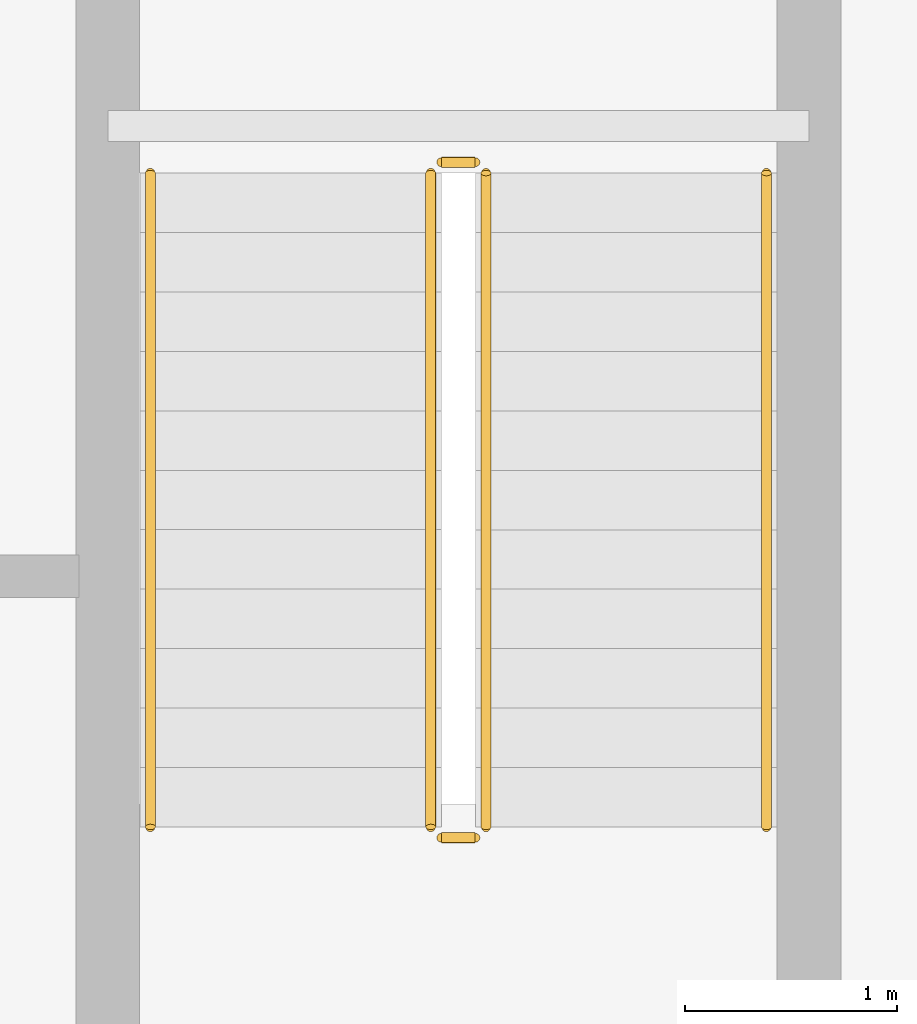
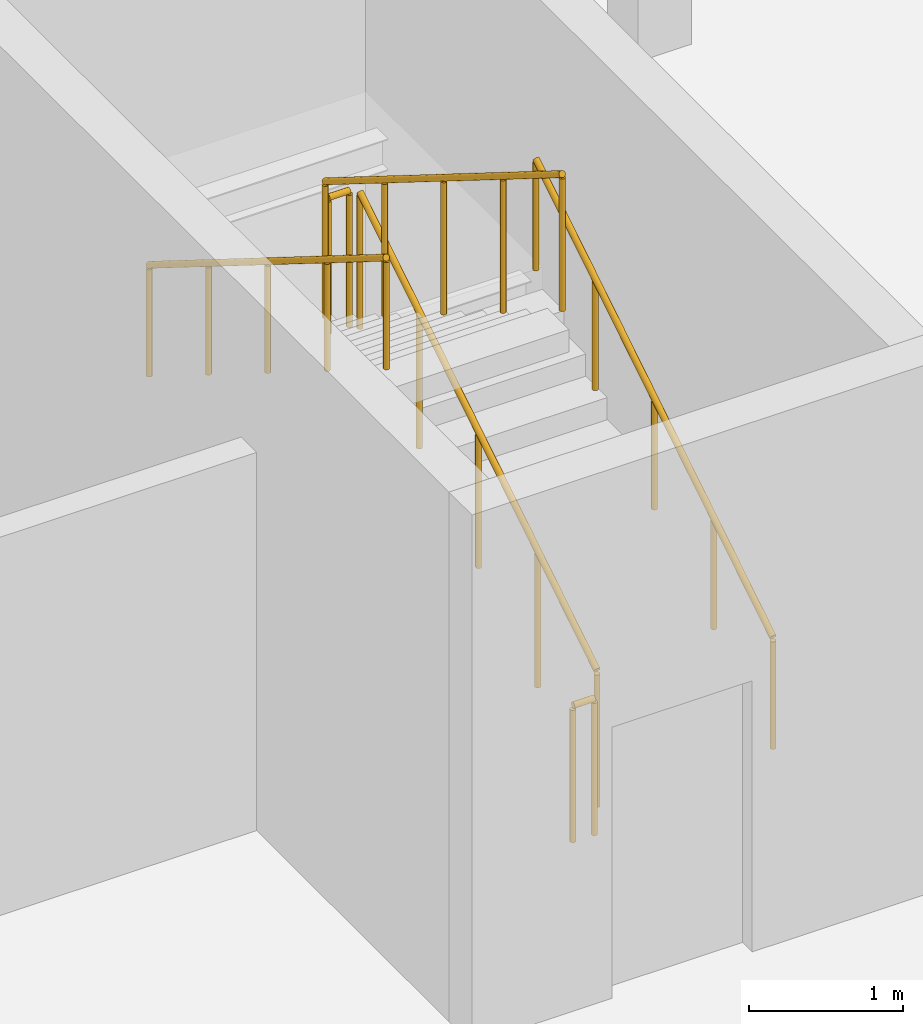
# One storey, part 10 of 10: 6 railings.
"""IFC4 building model written with IfcOpenShell, lengths in metres."""

import ifcopenshell
import ifcopenshell.guid

model = None  # the IFC model being written
_history = None  # IfcOwnerHistory: only IFC2X3 demands one
_inside = {}  # id of a spatial element -> (the spatial element, [elements in it])
_under = {}  # id of a project, library or spatial element -> (it, [spatial elements below it])
_declared = {}  # id of a project -> (the project, [libraries it declares])
_typed = {}  # id of a type object -> (the type object, [elements of that type])
_made_of = {}  # id of a material, layer set ... -> (it, [elements and type objects made of it])


def new_model(schema):
    """Start an empty IFC model of exactly this schema.

    Asked for "IFC4X3", IfcOpenShell would pick the latest addendum, in which some entities
    have other attributes; the version numbers below select the first issue.
    IFC2X3 requires an IfcOwnerHistory on every rooted entity: one is made here for all.
    """
    global model, _history
    if schema == "IFC4X3":
        model = ifcopenshell.file(schema_version=(4, 3, 0, 0))
    else:
        model = ifcopenshell.file(schema=schema)
    _inside.clear()
    _under.clear()
    _declared.clear()
    _typed.clear()
    _made_of.clear()
    _history = None
    if model.schema == "IFC2X3":
        org = make("IfcOrganization", Name="unknown")
        user = make(
            "IfcPersonAndOrganization",
            ThePerson=make("IfcPerson", FamilyName="unknown"),
            TheOrganization=org,
        )
        app = make(
            "IfcApplication",
            ApplicationDeveloper=org,
            Version="unknown",
            ApplicationFullName="unknown",
            ApplicationIdentifier="unknown",
        )
        _history = make(
            "IfcOwnerHistory",
            OwningUser=user,
            OwningApplication=app,
            ChangeAction="ADDED",
            CreationDate=0,
        )
    return model


def make(cls, **values):
    """One entity of the class cls with the attributes given. An attribute that is None is left unset."""
    return model.create_entity(
        cls, **{name: value for name, value in values.items() if value is not None}
    )


def rooted(cls, **values):
    """An entity with a GlobalId (a new one), such as an element, a storey or a relation."""
    return make(cls, GlobalId=ifcopenshell.guid.new(), OwnerHistory=_history, **values)


def si_unit(unit_type, name, prefix=None):
    """IfcSIUnit, for example si_unit("LENGTHUNIT", "METRE", prefix="MILLI")."""
    return make("IfcSIUnit", UnitType=unit_type, Prefix=prefix, Name=name)


def assignment(units):
    """IfcUnitAssignment: the units of a project."""
    return None if units is None else make("IfcUnitAssignment", Units=units)


def point(xyz):
    """IfcCartesianPoint."""
    return None if xyz is None else make("IfcCartesianPoint", Coordinates=xyz)


def direction(xyz):
    """IfcDirection."""
    return None if xyz is None else make("IfcDirection", DirectionRatios=xyz)


def frame(location, z_axis=None, x_axis=None):
    """IfcAxis2Placement3D, a coordinate frame: its origin and axes. An axis left out is left unset."""
    return make(
        "IfcAxis2Placement3D",
        Location=point(location),
        Axis=direction(z_axis),
        RefDirection=direction(x_axis),
    )


def frame_2d(location, x_axis=None):
    """IfcAxis2Placement2D, a coordinate frame in the plane: its origin and x axis."""
    return make(
        "IfcAxis2Placement2D", Location=point(location), RefDirection=direction(x_axis)
    )


def origin():
    """The frame at (0, 0, 0) with its axes left unset."""
    return frame((0.0, 0.0, 0.0))


def origin_2d():
    """The frame at (0, 0) in the plane with its x axis left unset."""
    return frame_2d((0.0, 0.0))


def place(relative_to, where):
    """IfcLocalPlacement: puts the frame where relative to a parent placement (None: the world)."""
    return make(
        "IfcLocalPlacement", PlacementRelTo=relative_to, RelativePlacement=where
    )


def context(
    kind, dimensions, precision=None, world=None, true_north=None, identifier=None
):
    """IfcGeometricRepresentationContext, for example the 3D "Model" context."""
    return make(
        "IfcGeometricRepresentationContext",
        ContextIdentifier=identifier,
        ContextType=kind,
        CoordinateSpaceDimension=dimensions,
        Precision=precision,
        WorldCoordinateSystem=world,
        TrueNorth=true_north,
    )


def subcontext(parent, identifier, kind, view, scale=None):
    """IfcGeometricRepresentationSubContext, for example "Body" below "Model"."""
    return make(
        "IfcGeometricRepresentationSubContext",
        ContextIdentifier=identifier,
        ContextType=kind,
        ParentContext=parent,
        TargetScale=scale,
        TargetView=view,
    )


def project(units=None, contexts=None):
    """IfcProject with its units and contexts."""
    return rooted(
        "IfcProject",
        Name="project",
        RepresentationContexts=contexts,
        UnitsInContext=assignment(units),
    )


def spatial(cls, under=None, at=None, **own):
    """A site, building, storey or space (cls), placed at a placement, below another one or the project."""
    s = rooted(cls, ObjectPlacement=at, **own)
    if under is not None:
        _under.setdefault(under.id(), (under, []))[1].append(s)
    return s


def profile(cls, at=None, kind="AREA", **sizes):
    """A parametric profile (cls). Its sizes go by their IFC names, for example OverallWidth=200.0."""
    return make(cls, ProfileType=kind, Position=at, **sizes)


def circle(**sizes):
    """IfcCircleProfileDef."""
    return profile("IfcCircleProfileDef", **sizes)


def extrude(swept, where, along, depth):
    """IfcExtrudedAreaSolid: the profile swept, set in the frame where, extruded along a direction by depth."""
    return make(
        "IfcExtrudedAreaSolid",
        SweptArea=swept,
        Position=where,
        ExtrudedDirection=direction(along),
        Depth=depth,
    )


def shape(context_of_items, identifier, shape_type, items):
    """IfcShapeRepresentation: the items that make up one representation, for example the "Body"."""
    return make(
        "IfcShapeRepresentation",
        ContextOfItems=context_of_items,
        RepresentationIdentifier=identifier,
        RepresentationType=shape_type,
        Items=items,
    )


def material(Name=None, Category=None):
    """IfcMaterial."""
    return make("IfcMaterial", Name=Name, Category=Category)


def made_of(thing, what):
    """Note that an element or type object is made of a material, layer set ...; save() writes the relation."""
    if what is not None:
        _made_of.setdefault(what.id(), (what, []))[1].append(thing)
    return thing


def type_object(cls, material=None, **own):
    """A type object (cls), such as IfcWallType, which elements share."""
    return made_of(rooted(cls, **own), material)


def element(
    cls,
    number,
    at=None,
    inside=None,
    cuts=None,
    type_object=None,
    material=None,
    context=None,
    identifier="Body",
    shape_type=None,
    held_by="IfcProductDefinitionShape",
    body=None,
    shapes=None,
    **own,
):
    """One element of the class cls, such as IfcWall. Its Tag is "e" and its number.

    at: its placement. inside: the storey or other place that contains it. cuts: it is an
    opening in that element (IfcRelVoidsElement). A single representation is given by context,
    identifier, shape_type and body (its items); several are given by shapes. held_by: the class
    of the entity that holds the representations. save() writes the other relations.
    """
    e = rooted(cls, Tag="e%d" % number, ObjectPlacement=at, **own)
    if body is not None:
        shapes = [shape(context, identifier, shape_type, body)]
    if shapes is not None:
        e.Representation = make(held_by, Representations=shapes)
    if inside is not None:
        _inside.setdefault(inside.id(), (inside, []))[1].append(e)
    if cuts is not None:
        rooted(
            "IfcRelVoidsElement", RelatingBuildingElement=cuts, RelatedOpeningElement=e
        )
    if type_object is not None:
        _typed.setdefault(type_object.id(), (type_object, []))[1].append(e)
    return made_of(e, material)


def aggregate(whole, parts):
    """IfcRelAggregates: a whole, such as a stair, and the parts it consists of."""
    return rooted("IfcRelAggregates", RelatingObject=whole, RelatedObjects=parts)


def save(model, path):
    """Write the relations noted so far, then the file.

    IfcRelAggregates (storeys below a building ...), IfcRelContainedInSpatialStructure (elements
    in a storey), IfcRelDefinesByType, IfcRelAssociatesMaterial and IfcRelDeclares: one each for
    every whole, place, type object, material and project.
    """
    for whole, parts in _under.values():
        aggregate(whole, parts)
    for where, things in _inside.values():
        rooted(
            "IfcRelContainedInSpatialStructure",
            RelatedElements=things,
            RelatingStructure=where,
        )
    for kind, things in _typed.values():
        rooted("IfcRelDefinesByType", RelatedObjects=things, RelatingType=kind)
    for what, things in _made_of.values():
        rooted("IfcRelAssociatesMaterial", RelatedObjects=things, RelatingMaterial=what)
    for by, libraries in _declared.values():
        rooted("IfcRelDeclares", RelatingContext=by, RelatedDefinitions=libraries)
    model.write(path)


model = new_model("IFC4")

# Units and contexts
model_context = context("Model", 3, precision=1e-05, world=origin(), true_north=direction((0.0, 1.0)))
body_context = subcontext(model_context, "Body", "Model", "MODEL_VIEW")
ifc_project = project(units=[si_unit("LENGTHUNIT", "METRE"), si_unit("AREAUNIT", "SQUARE_METRE"), si_unit("VOLUMEUNIT", "CUBIC_METRE"), si_unit("PLANEANGLEUNIT", "RADIAN"), si_unit("MASSUNIT", "GRAM", prefix="KILO")], contexts=[model_context])

# Site, building, storey
site_placement = place(None, origin())
site = spatial("IfcSite", under=ifc_project, at=site_placement, CompositionType="ELEMENT")
building_placement = place(site_placement, origin())
building = spatial("IfcBuilding", under=site, at=building_placement, Name="Orvanel Arch Residences", CompositionType="ELEMENT")
storey_placement = place(building_placement, frame((0.0, 0.0, -4.199951171875)))
storey = spatial("IfcBuildingStorey", under=building, at=storey_placement, Name="B01", CompositionType="ELEMENT", Elevation=-4.199951171875)

# Railings
ifc_material = material(Name="Structural steel AS/NZS 1163 C350L0 (Grade 350)", Category="steel")
railing_type_1 = type_object("IfcRailingType", Name="RL-STAIR-GUARD", PredefinedType="GUARDRAIL", material=ifc_material)
railing_1_placement = place(storey_placement, frame((53.030029296875, 40.419921875, 0.175048828125)))
element("IfcRailing", 1, at=railing_1_placement, inside=storey, type_object=railing_type_1, Name="B01 ST-4 stair guard 1", PredefinedType="GUARDRAIL", context=body_context, shape_type="SweptSolid", body=[
    extrude(circle(Radius=0.02392578125, at=origin_2d()), frame((0.0, 0.001220703125, 1.076904296875), z_axis=(0.0, 0.848028513186, 0.529950602248), x_axis=(-1.0, 0.0, 0.0)), (0.0, 0.0, 1.0), 3.629150390625),
    extrude(circle(Radius=0.02099609375, at=origin_2d()), origin(), (0.0, 0.0, 1.0), 1.050048828125),
    extrude(circle(Radius=0.02099609375, at=origin_2d()), frame((0.0, 0.77001953125, 0.481201171875)), (0.0, 0.0, 1.0), 1.050048828125),
    extrude(circle(Radius=0.02099609375, at=origin_2d()), frame((0.0, 1.5400390625, 0.96240234375)), (0.0, 0.0, 1.0), 1.050048828125),
    extrude(circle(Radius=0.02099609375, at=origin_2d()), frame((0.0, 2.31005859375, 1.443603515625)), (0.0, 0.0, 1.0), 1.050048828125),
    extrude(circle(Radius=0.02099609375, at=origin_2d()), frame((0.0, 3.080078125, 1.9248046875)), (0.0, 0.0, 1.0), 1.050048828125),
])
railing_2_placement = place(storey_placement, frame((52.97998046875, 43.550048828125, 2.099853515625)))
element("IfcRailing", 2, at=railing_2_placement, inside=storey, type_object=railing_type_1, Name="B01 ST-4 stair guard 2", PredefinedType="GUARDRAIL", context=body_context, shape_type="SweptSolid", body=[
    extrude(circle(Radius=0.02392578125, at=origin_2d()), frame((-0.00146484375, 0.0, 1.076171875), z_axis=(-1.0, 0.0, 0.0), x_axis=(0.0, -1.0, 0.0)), (0.0, 0.0, 1.0), 0.156982421875),
    extrude(circle(Radius=0.02099609375, at=origin_2d()), origin(), (0.0, 0.0, 1.0), 1.050048828125),
    extrude(circle(Radius=0.02099609375, at=origin_2d()), frame((-0.159912109375, 0.0, 0.0)), (0.0, 0.0, 1.0), 1.050048828125),
])
railing_3_placement = place(storey_placement, frame((52.77001953125, 43.5, 2.27490234375)))
element("IfcRailing", 3, at=railing_3_placement, inside=storey, type_object=railing_type_1, Name="B01 ST-4 stair guard 3", PredefinedType="GUARDRAIL", context=body_context, shape_type="SweptSolid", body=[
    extrude(circle(Radius=0.02392578125, at=origin_2d()), frame((0.0, -0.001220703125, 1.076904296875), z_axis=(0.0, -0.847998304005, 0.529998940003), x_axis=(1.0, 0.0, 0.0)), (0.0, 0.0, 1.0), 3.629150390625),
    extrude(circle(Radius=0.02099609375, at=origin_2d()), origin(), (0.0, 0.0, 1.0), 1.050048828125),
    extrude(circle(Radius=0.02099609375, at=origin_2d()), frame((0.0, -0.77001953125, 0.481201171875)), (0.0, 0.0, 1.0), 1.050048828125),
    extrude(circle(Radius=0.02099609375, at=origin_2d()), frame((0.0, -1.5400390625, 0.96240234375)), (0.0, 0.0, 1.0), 1.050048828125),
    extrude(circle(Radius=0.02099609375, at=origin_2d()), frame((0.0, -2.31005859375, 1.44384765625)), (0.0, 0.0, 1.0), 1.050048828125),
    extrude(circle(Radius=0.02099609375, at=origin_2d()), frame((0.0, -3.080078125, 1.925048828125)), (0.0, 0.0, 1.0), 1.050048828125),
])
railing_4_placement = place(storey_placement, frame((52.97998046875, 40.3701171875, 0.0)))
element("IfcRailing", 4, at=railing_4_placement, inside=storey, type_object=railing_type_1, Name="B01 ST-4 stair guard 4", PredefinedType="GUARDRAIL", context=body_context, shape_type="SweptSolid", body=[
    extrude(circle(Radius=0.02392578125, at=origin_2d()), frame((-0.00146484375, 0.0, 1.076171875), z_axis=(-1.0, 0.0, 0.0), x_axis=(0.0, -1.0, 0.0)), (0.0, 0.0, 1.0), 0.156982421875),
    extrude(circle(Radius=0.02099609375, at=origin_2d()), origin(), (0.0, 0.0, 1.0), 1.050048828125),
    extrude(circle(Radius=0.02099609375, at=origin_2d()), frame((-0.159912109375, 0.0, 0.0)), (0.0, 0.0, 1.0), 1.050048828125),
])
railing_type_2 = type_object("IfcRailingType", Name="RL-STAIR-HAND", PredefinedType="HANDRAIL", material=ifc_material)
railing_5_placement = place(storey_placement, frame((54.35009765625, 40.419921875, 0.175048828125)))
element("IfcRailing", 5, at=railing_5_placement, inside=storey, type_object=railing_type_2, Name="B01 ST-4 stair handrail 1", PredefinedType="HANDRAIL", context=body_context, shape_type="SweptSolid", body=[
    extrude(circle(Radius=0.02392578125, at=origin_2d()), frame((0.0, 0.001220703125, 0.876708984375), z_axis=(0.0, 0.848028513186, 0.529950602248), x_axis=(-1.0, 0.0, 0.0)), (0.0, 0.0, 1.0), 3.629150390625),
    extrude(circle(Radius=0.02099609375, at=origin_2d()), origin(), (0.0, 0.0, 1.0), 0.849853515625),
    extrude(circle(Radius=0.02099609375, at=origin_2d()), frame((0.0, 0.77001953125, 0.481201171875)), (0.0, 0.0, 1.0), 0.849853515625),
    extrude(circle(Radius=0.02099609375, at=origin_2d()), frame((0.0, 1.5400390625, 0.96240234375)), (0.0, 0.0, 1.0), 0.849853515625),
    extrude(circle(Radius=0.02099609375, at=origin_2d()), frame((0.0, 2.31005859375, 1.443603515625)), (0.0, 0.0, 1.0), 0.849853515625),
    extrude(circle(Radius=0.02099609375, at=origin_2d()), frame((0.0, 3.080078125, 1.9248046875)), (0.0, 0.0, 1.0), 0.849853515625),
])
railing_6_placement = place(storey_placement, frame((51.449951171875, 43.5, 2.27490234375)))
element("IfcRailing", 6, at=railing_6_placement, inside=storey, type_object=railing_type_2, Name="B01 ST-4 stair handrail 2", PredefinedType="HANDRAIL", context=body_context, shape_type="SweptSolid", body=[
    extrude(circle(Radius=0.02392578125, at=origin_2d()), frame((0.0, -0.001220703125, 0.876708984375), z_axis=(0.0, -0.847998304005, 0.529998940003), x_axis=(1.0, 0.0, 0.0)), (0.0, 0.0, 1.0), 3.629150390625),
    extrude(circle(Radius=0.02099609375, at=origin_2d()), origin(), (0.0, 0.0, 1.0), 0.849853515625),
    extrude(circle(Radius=0.02099609375, at=origin_2d()), frame((0.0, -0.77001953125, 0.481201171875)), (0.0, 0.0, 1.0), 0.849853515625),
    extrude(circle(Radius=0.02099609375, at=origin_2d()), frame((0.0, -1.5400390625, 0.96240234375)), (0.0, 0.0, 1.0), 0.849853515625),
    extrude(circle(Radius=0.02099609375, at=origin_2d()), frame((0.0, -2.31005859375, 1.44384765625)), (0.0, 0.0, 1.0), 0.849853515625),
    extrude(circle(Radius=0.02099609375, at=origin_2d()), frame((0.0, -3.080078125, 1.925048828125)), (0.0, 0.0, 1.0), 0.849853515625),
])

save(model, "model.ifc")
